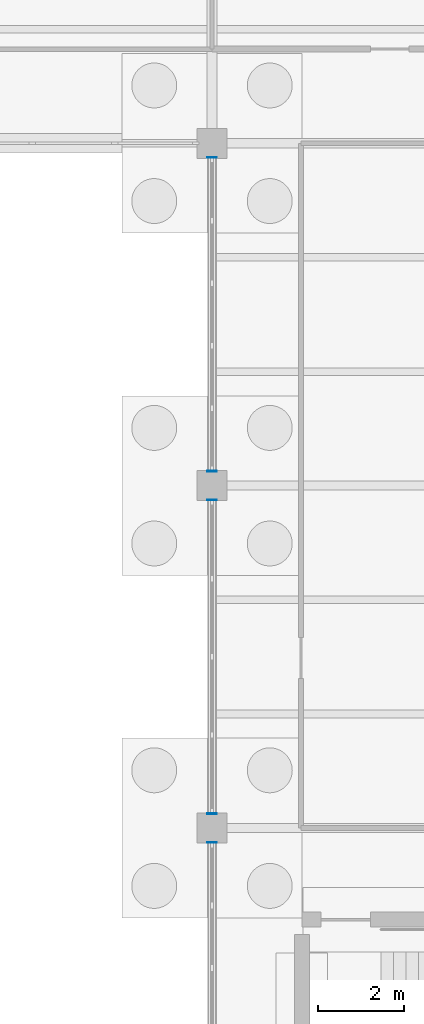
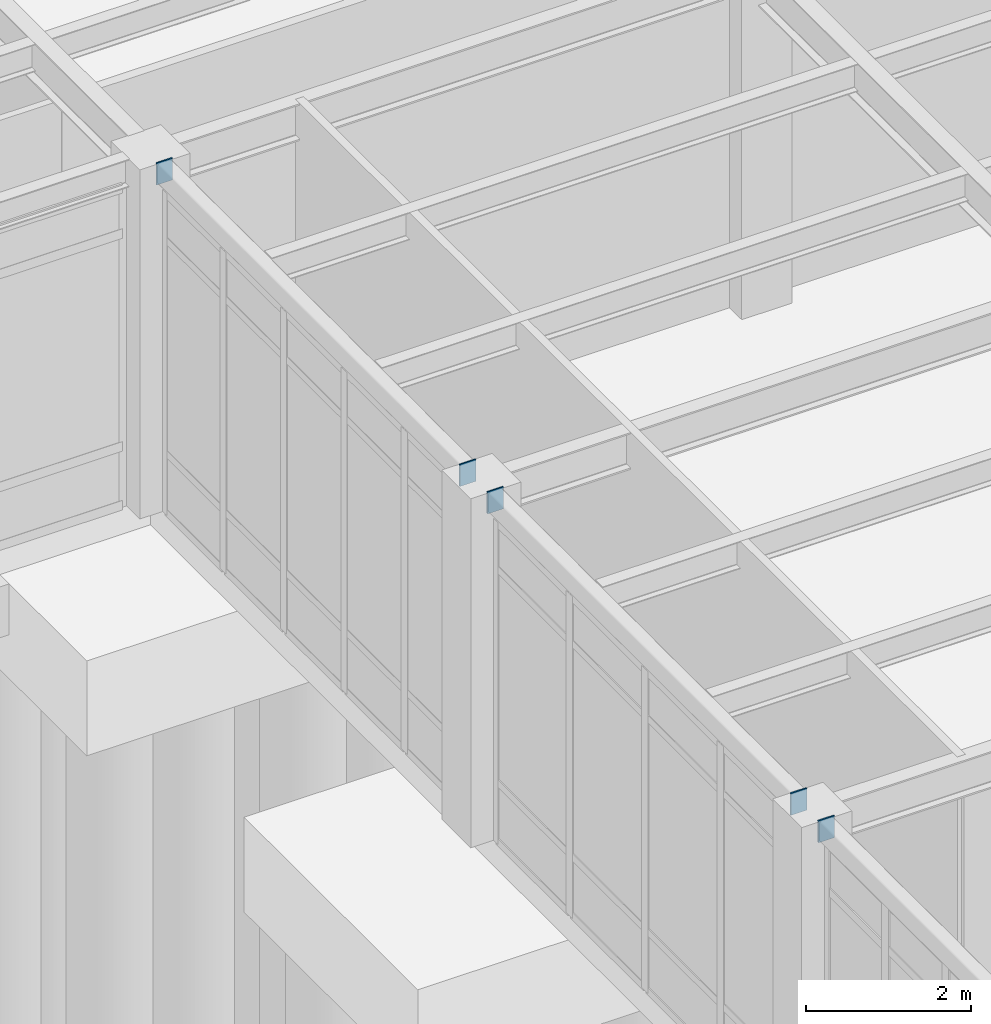
# One storey, part 120 of 138: 5 discrete accessories.
"""IFC4 building model written with IfcOpenShell, lengths in metres."""

from ifc_helpers import new_model, si_unit, direction, frame, origin, origin_2d, place, context, subcontext, project, spatial, rectangle, extrude, material, layer, layer_set, type_object, element, save


model = new_model("IFC4")

# Units and contexts
model_context = context("Model", 3, precision=1e-05, world=origin(), true_north=direction((0.0, 1.0)))
body_context = subcontext(model_context, "Body", "Model", "MODEL_VIEW")
ifc_project = project(units=[si_unit("LENGTHUNIT", "METRE"), si_unit("AREAUNIT", "SQUARE_METRE"), si_unit("VOLUMEUNIT", "CUBIC_METRE"), si_unit("PLANEANGLEUNIT", "RADIAN"), si_unit("MASSUNIT", "GRAM", prefix="KILO")], contexts=[model_context])

# Site, building, storey
site_placement = place(None, origin())
site = spatial("IfcSite", under=ifc_project, at=site_placement, CompositionType="ELEMENT")
building_placement = place(site_placement, origin())
building = spatial("IfcBuilding", under=site, at=building_placement, Name="Kranzveld Transit Interchange", CompositionType="ELEMENT")
storey_placement = place(building_placement, origin())
storey = spatial("IfcBuildingStorey", under=building, at=storey_placement, Name="L00", CompositionType="ELEMENT", Elevation=0.0)

# Discrete accessories
ifc_material = material(Name="Steel S355JR", Category="steel")
ifc_layer = layer(ifc_material, 0.02001953125)
ifc_layer_set = layer_set([ifc_layer], Name="Steel S355JR")
discrete_accessory_type = type_object("IfcDiscreteAccessoryType", Name="Hollow Section End Cap Bracket 20 S355JR", PredefinedType="BRACKET", material=ifc_layer_set)
for number, where, z_axis, x_axis, name in (
    (1, (151.199951171875, 79.656005859375, 5.0), (0.0, 1.0, 0.0), (-1.0, 0.0, 0.0), "Hollow Section End Cap SP-RHS300-2"),
    (2, (151.199951171875, 80.343994140625, 5.0), (0.0, -1.0, 0.0), (1.0, 0.0, 0.0), "Hollow Section End Cap SP-RHS300-1"),
    (3, (151.199951171875, 87.656005859375, 5.0), (0.0, 1.0, 0.0), (-1.0, 0.0, 0.0), "Hollow Section End Cap SP-RHS300-2"),
    (4, (151.199951171875, 88.343994140625, 5.0), (0.0, -1.0, 0.0), (1.0, 0.0, 0.0), "Hollow Section End Cap SP-RHS300-1"),
    (5, (151.199951171875, 95.656005859375, 5.0), (0.0, 1.0, 0.0), (-1.0, 0.0, 0.0), "Hollow Section End Cap SP-RHS300-2"),
):
    element("IfcDiscreteAccessory", number, at=place(storey_placement, frame(where, z_axis=z_axis, x_axis=x_axis)), inside=storey, type_object=discrete_accessory_type, Name=name, PredefinedType="BRACKET", context=body_context, shape_type="SweptSolid", body=[
        extrude(rectangle(XDim=0.22412109375, YDim=0.323974609375, at=origin_2d()), origin(), (0.0, 0.0, 1.0), 0.02001953125),
    ])

save(model, "model.ifc")
